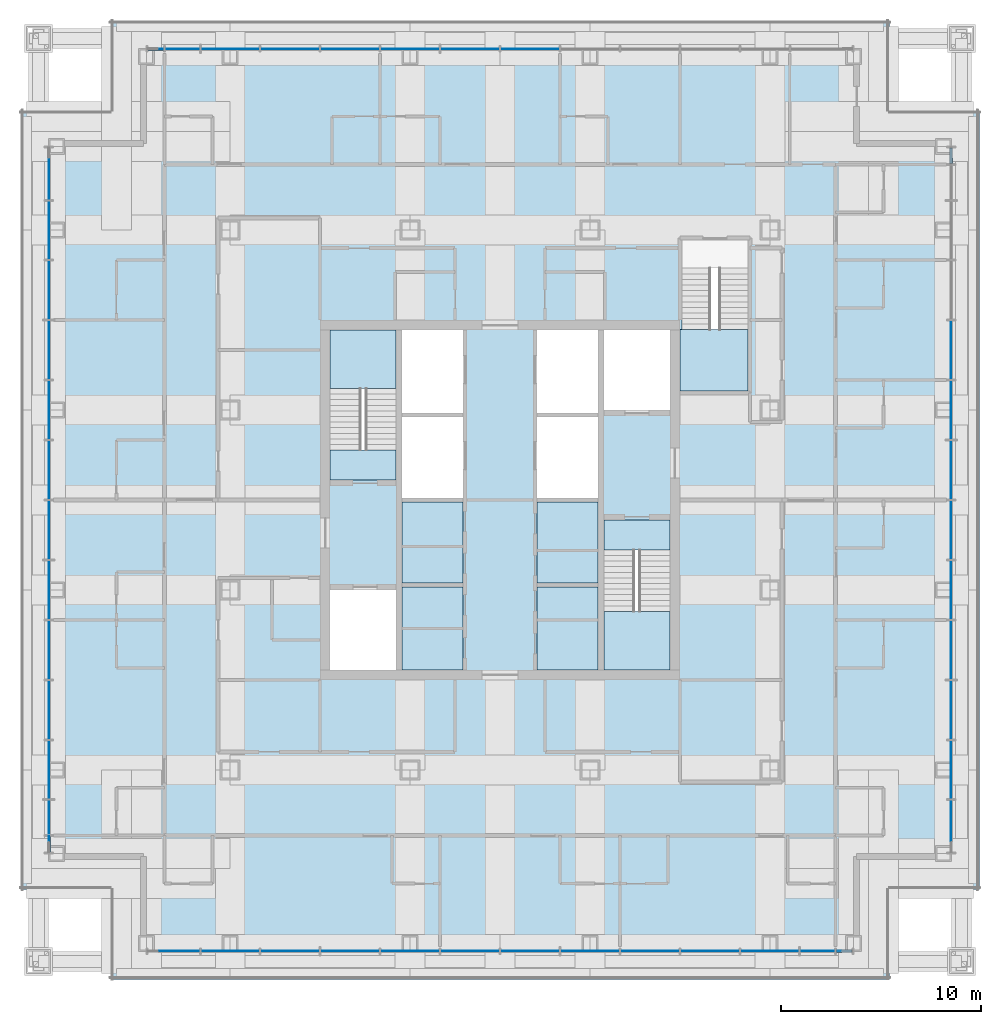
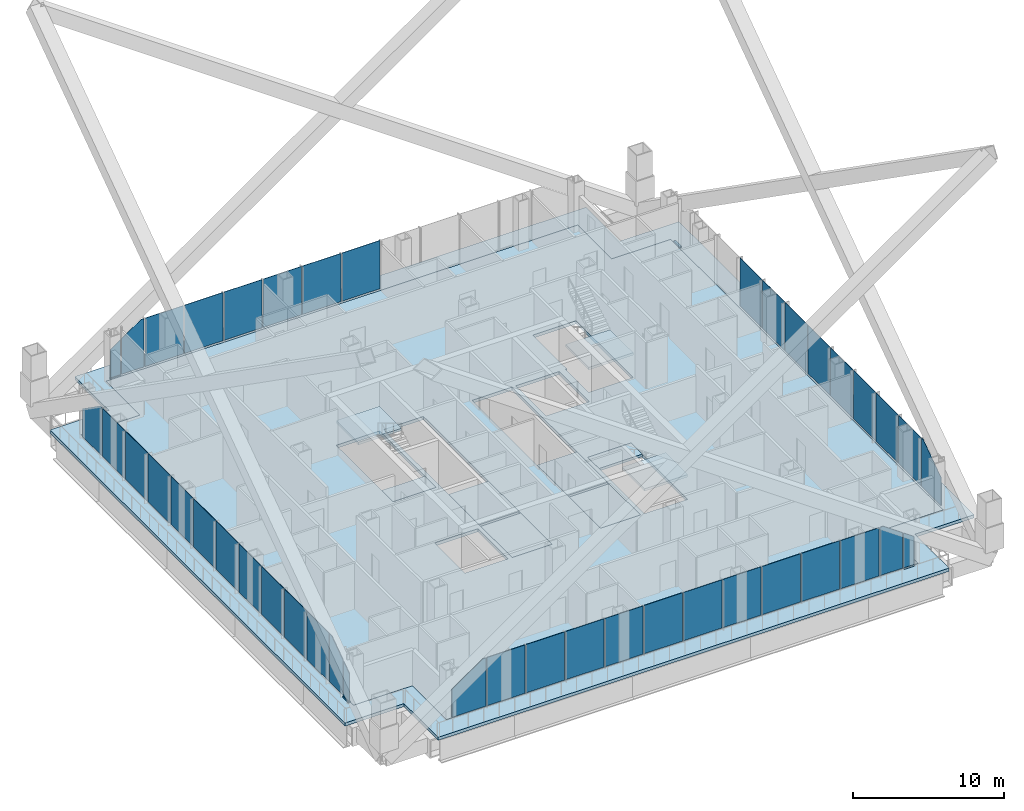
# One storey, part 10 of 18: 43 plates, 11 slabs, 4 members, 7 elements without a shape of their own.
"""IFC4 building model written with IfcOpenShell, lengths in metres."""

import ifcopenshell
import ifcopenshell.guid

model = None  # the IFC model being written
_history = None  # IfcOwnerHistory: only IFC2X3 demands one
_inside = {}  # id of a spatial element -> (the spatial element, [elements in it])
_under = {}  # id of a project, library or spatial element -> (it, [spatial elements below it])
_declared = {}  # id of a project -> (the project, [libraries it declares])
_typed = {}  # id of a type object -> (the type object, [elements of that type])
_made_of = {}  # id of a material, layer set ... -> (it, [elements and type objects made of it])


def new_model(schema):
    """Start an empty IFC model of exactly this schema.

    Asked for "IFC4X3", IfcOpenShell would pick the latest addendum, in which some entities
    have other attributes; the version numbers below select the first issue.
    IFC2X3 requires an IfcOwnerHistory on every rooted entity: one is made here for all.
    """
    global model, _history
    if schema == "IFC4X3":
        model = ifcopenshell.file(schema_version=(4, 3, 0, 0))
    else:
        model = ifcopenshell.file(schema=schema)
    _inside.clear()
    _under.clear()
    _declared.clear()
    _typed.clear()
    _made_of.clear()
    _history = None
    if model.schema == "IFC2X3":
        org = make("IfcOrganization", Name="unknown")
        user = make(
            "IfcPersonAndOrganization",
            ThePerson=make("IfcPerson", FamilyName="unknown"),
            TheOrganization=org,
        )
        app = make(
            "IfcApplication",
            ApplicationDeveloper=org,
            Version="unknown",
            ApplicationFullName="unknown",
            ApplicationIdentifier="unknown",
        )
        _history = make(
            "IfcOwnerHistory",
            OwningUser=user,
            OwningApplication=app,
            ChangeAction="ADDED",
            CreationDate=0,
        )
    return model


def make(cls, **values):
    """One entity of the class cls with the attributes given. An attribute that is None is left unset."""
    return model.create_entity(
        cls, **{name: value for name, value in values.items() if value is not None}
    )


def rooted(cls, **values):
    """An entity with a GlobalId (a new one), such as an element, a storey or a relation."""
    return make(cls, GlobalId=ifcopenshell.guid.new(), OwnerHistory=_history, **values)


def si_unit(unit_type, name, prefix=None):
    """IfcSIUnit, for example si_unit("LENGTHUNIT", "METRE", prefix="MILLI")."""
    return make("IfcSIUnit", UnitType=unit_type, Prefix=prefix, Name=name)


def assignment(units):
    """IfcUnitAssignment: the units of a project."""
    return None if units is None else make("IfcUnitAssignment", Units=units)


def point(xyz):
    """IfcCartesianPoint."""
    return None if xyz is None else make("IfcCartesianPoint", Coordinates=xyz)


def direction(xyz):
    """IfcDirection."""
    return None if xyz is None else make("IfcDirection", DirectionRatios=xyz)


def frame(location, z_axis=None, x_axis=None):
    """IfcAxis2Placement3D, a coordinate frame: its origin and axes. An axis left out is left unset."""
    return make(
        "IfcAxis2Placement3D",
        Location=point(location),
        Axis=direction(z_axis),
        RefDirection=direction(x_axis),
    )


def frame_2d(location, x_axis=None):
    """IfcAxis2Placement2D, a coordinate frame in the plane: its origin and x axis."""
    return make(
        "IfcAxis2Placement2D", Location=point(location), RefDirection=direction(x_axis)
    )


def origin():
    """The frame at (0, 0, 0) with its axes left unset."""
    return frame((0.0, 0.0, 0.0))


def origin_2d():
    """The frame at (0, 0) in the plane with its x axis left unset."""
    return frame_2d((0.0, 0.0))


def place(relative_to, where):
    """IfcLocalPlacement: puts the frame where relative to a parent placement (None: the world)."""
    return make(
        "IfcLocalPlacement", PlacementRelTo=relative_to, RelativePlacement=where
    )


def context(
    kind, dimensions, precision=None, world=None, true_north=None, identifier=None
):
    """IfcGeometricRepresentationContext, for example the 3D "Model" context."""
    return make(
        "IfcGeometricRepresentationContext",
        ContextIdentifier=identifier,
        ContextType=kind,
        CoordinateSpaceDimension=dimensions,
        Precision=precision,
        WorldCoordinateSystem=world,
        TrueNorth=true_north,
    )


def subcontext(parent, identifier, kind, view, scale=None):
    """IfcGeometricRepresentationSubContext, for example "Body" below "Model"."""
    return make(
        "IfcGeometricRepresentationSubContext",
        ContextIdentifier=identifier,
        ContextType=kind,
        ParentContext=parent,
        TargetScale=scale,
        TargetView=view,
    )


def project(units=None, contexts=None):
    """IfcProject with its units and contexts."""
    return rooted(
        "IfcProject",
        Name="project",
        RepresentationContexts=contexts,
        UnitsInContext=assignment(units),
    )


def spatial(cls, under=None, at=None, **own):
    """A site, building, storey or space (cls), placed at a placement, below another one or the project."""
    s = rooted(cls, ObjectPlacement=at, **own)
    if under is not None:
        _under.setdefault(under.id(), (under, []))[1].append(s)
    return s


def polyline(points):
    """IfcPolyline through the points."""
    return make("IfcPolyline", Points=[point(p) for p in points])


def profile(cls, at=None, kind="AREA", **sizes):
    """A parametric profile (cls). Its sizes go by their IFC names, for example OverallWidth=200.0."""
    return make(cls, ProfileType=kind, Position=at, **sizes)


def rectangle(**sizes):
    """IfcRectangleProfileDef."""
    return profile("IfcRectangleProfileDef", **sizes)


def outline(outer, holes=None, kind="AREA"):
    """IfcArbitraryClosedProfileDef: a profile drawn as a closed curve; with holes, ...WithVoids."""
    if holes is None:
        return make("IfcArbitraryClosedProfileDef", ProfileType=kind, OuterCurve=outer)
    return make(
        "IfcArbitraryProfileDefWithVoids",
        ProfileType=kind,
        OuterCurve=outer,
        InnerCurves=holes,
    )


def extrude(swept, where, along, depth):
    """IfcExtrudedAreaSolid: the profile swept, set in the frame where, extruded along a direction by depth."""
    return make(
        "IfcExtrudedAreaSolid",
        SweptArea=swept,
        Position=where,
        ExtrudedDirection=direction(along),
        Depth=depth,
    )


def shape(context_of_items, identifier, shape_type, items):
    """IfcShapeRepresentation: the items that make up one representation, for example the "Body"."""
    return make(
        "IfcShapeRepresentation",
        ContextOfItems=context_of_items,
        RepresentationIdentifier=identifier,
        RepresentationType=shape_type,
        Items=items,
    )


def material(Name=None, Category=None):
    """IfcMaterial."""
    return make("IfcMaterial", Name=Name, Category=Category)


def layer(
    of_material, thickness, ventilated=None, Name=None, Category=None, Priority=None
):
    """IfcMaterialLayer: one layer of a wall or slab, of a material (None: an air gap)."""
    return make(
        "IfcMaterialLayer",
        Material=of_material,
        LayerThickness=thickness,
        IsVentilated=ventilated,
        Name=Name,
        Category=Category,
        Priority=Priority,
    )


def layer_set(layers, Name=None):
    """IfcMaterialLayerSet."""
    return make("IfcMaterialLayerSet", MaterialLayers=layers, LayerSetName=Name)


def material_profile(
    of_material, cross_section, Name=None, Category=None, Priority=None
):
    """IfcMaterialProfile: a cross section and its material."""
    return make(
        "IfcMaterialProfile",
        Name=Name,
        Material=of_material,
        Profile=cross_section,
        Priority=Priority,
        Category=Category,
    )


def profile_set(profiles, Name=None, composite=None):
    """IfcMaterialProfileSet."""
    return make(
        "IfcMaterialProfileSet",
        Name=Name,
        MaterialProfiles=profiles,
        CompositeProfile=composite,
    )


def made_of(thing, what):
    """Note that an element or type object is made of a material, layer set ...; save() writes the relation."""
    if what is not None:
        _made_of.setdefault(what.id(), (what, []))[1].append(thing)
    return thing


def type_object(cls, material=None, **own):
    """A type object (cls), such as IfcWallType, which elements share."""
    return made_of(rooted(cls, **own), material)


def element(
    cls,
    number,
    at=None,
    inside=None,
    cuts=None,
    type_object=None,
    material=None,
    context=None,
    identifier="Body",
    shape_type=None,
    held_by="IfcProductDefinitionShape",
    body=None,
    shapes=None,
    **own,
):
    """One element of the class cls, such as IfcWall. Its Tag is "e" and its number.

    at: its placement. inside: the storey or other place that contains it. cuts: it is an
    opening in that element (IfcRelVoidsElement). A single representation is given by context,
    identifier, shape_type and body (its items); several are given by shapes. held_by: the class
    of the entity that holds the representations. save() writes the other relations.
    """
    e = rooted(cls, Tag="e%d" % number, ObjectPlacement=at, **own)
    if body is not None:
        shapes = [shape(context, identifier, shape_type, body)]
    if shapes is not None:
        e.Representation = make(held_by, Representations=shapes)
    if inside is not None:
        _inside.setdefault(inside.id(), (inside, []))[1].append(e)
    if cuts is not None:
        rooted(
            "IfcRelVoidsElement", RelatingBuildingElement=cuts, RelatedOpeningElement=e
        )
    if type_object is not None:
        _typed.setdefault(type_object.id(), (type_object, []))[1].append(e)
    return made_of(e, material)


def aggregate(whole, parts):
    """IfcRelAggregates: a whole, such as a stair, and the parts it consists of."""
    return rooted("IfcRelAggregates", RelatingObject=whole, RelatedObjects=parts)


def save(model, path):
    """Write the relations noted so far, then the file.

    IfcRelAggregates (storeys below a building ...), IfcRelContainedInSpatialStructure (elements
    in a storey), IfcRelDefinesByType, IfcRelAssociatesMaterial and IfcRelDeclares: one each for
    every whole, place, type object, material and project.
    """
    for whole, parts in _under.values():
        aggregate(whole, parts)
    for where, things in _inside.values():
        rooted(
            "IfcRelContainedInSpatialStructure",
            RelatedElements=things,
            RelatingStructure=where,
        )
    for kind, things in _typed.values():
        rooted("IfcRelDefinesByType", RelatedObjects=things, RelatingType=kind)
    for what, things in _made_of.values():
        rooted("IfcRelAssociatesMaterial", RelatedObjects=things, RelatingMaterial=what)
    for by, libraries in _declared.values():
        rooted("IfcRelDeclares", RelatingContext=by, RelatedDefinitions=libraries)
    model.write(path)


model = new_model("IFC4")

# Units and contexts
model_context = context("Model", 3, precision=1e-05, world=origin(), true_north=direction((0.0, 1.0)))
body_context = subcontext(model_context, "Body", "Model", "MODEL_VIEW")
ifc_project = project(units=[si_unit("LENGTHUNIT", "METRE"), si_unit("AREAUNIT", "SQUARE_METRE"), si_unit("VOLUMEUNIT", "CUBIC_METRE"), si_unit("PLANEANGLEUNIT", "RADIAN"), si_unit("MASSUNIT", "GRAM", prefix="KILO")], contexts=[model_context])

# Site, building, storey
site_placement = place(None, origin())
site = spatial("IfcSite", under=ifc_project, at=site_placement, CompositionType="ELEMENT")
building_placement = place(site_placement, origin())
building = spatial("IfcBuilding", under=site, at=building_placement, Name="Malebo Sky Hospital", CompositionType="ELEMENT")
storey_placement = place(building_placement, frame((0.0, 0.0, 177.0)))
storey = spatial("IfcBuildingStorey", under=building, at=storey_placement, Name="L42", CompositionType="ELEMENT", Elevation=177.0)

# Curtain wall, member
ifc_material_1 = material(Name="Anodised aluminium, natural silver", Category="aluminium")
ifc_layer_1 = layer(ifc_material_1, 0.25)
ifc_layer_set_1 = layer_set([ifc_layer_1], Name="WARD CURTAIN WALL NORTH AND SOUTH")
curtain_wall_type_1 = type_object("IfcCurtainWallType", Name="WARD CURTAIN WALL NORTH AND SOUTH", PredefinedType="NOTDEFINED", material=ifc_layer_set_1)
curtain_wall_1_placement = place(storey_placement, origin())
curtain_wall_1 = element("IfcCurtainWall", 1, at=curtain_wall_1_placement, inside=storey, type_object=curtain_wall_type_1, Name="NS curtain wall N", PredefinedType="NOTDEFINED")
ifc_material_profile = material_profile(ifc_material_1, rectangle(XDim=0.14990234375, YDim=0.10009765625, at=origin_2d()), Name="ALUMINIUM TRANSOM 150x100")
ifc_profile_set = profile_set([ifc_material_profile], Name="Anodised aluminium, natural silver")
member_type = type_object("IfcMemberType", Name="ALUMINIUM TRANSOM 150x100", PredefinedType="USERDEFINED", material=ifc_profile_set)
member_1_placement = place(storey_placement, frame((42.375, 84.574951171875, 0.050048828125), z_axis=(1.0, 0.0, 0.0), x_axis=(0.0, 1.0, 0.0)))
member_1 = element("IfcMember", 2, at=member_1_placement, type_object=member_type, Name="Transom 1", ObjectType="TRANSOM", PredefinedType="USERDEFINED", context=body_context, shape_type="SweptSolid", body=[
    extrude(rectangle(XDim=0.14990234375, YDim=0.10009765625, at=origin_2d()), origin(), (0.0, 0.0, 1.0), 0.78759765625),
])

ifc_layer_2 = layer(ifc_material_1, 0.25)
ifc_layer_set_2 = layer_set([ifc_layer_2], Name="WARD CURTAIN WALL EAST AND WEST")
curtain_wall_type_2 = type_object("IfcCurtainWallType", Name="WARD CURTAIN WALL EAST AND WEST", PredefinedType="NOTDEFINED", material=ifc_layer_set_2)
curtain_wall_2_placement = place(storey_placement, origin())
curtain_wall_2 = element("IfcCurtainWall", 3, at=curtain_wall_2_placement, inside=storey, type_object=curtain_wall_type_2, Name="EW curtain wall W", PredefinedType="NOTDEFINED")
member_2_placement = place(storey_placement, frame((37.425048828125, 44.375, 0.050048828125), z_axis=(0.0, 1.0, 0.0), x_axis=(-1.0, 0.0, 0.0)))
member_2 = element("IfcMember", 4, at=member_2_placement, type_object=member_type, Name="Transom 1", ObjectType="TRANSOM", PredefinedType="USERDEFINED", context=body_context, shape_type="SweptSolid", body=[
    extrude(rectangle(XDim=0.14990234375, YDim=0.10009765625, at=origin_2d()), origin(), (0.0, 0.0, 1.0), 0.78759765625),
])

curtain_wall_3_placement = place(storey_placement, origin())
curtain_wall_3 = element("IfcCurtainWall", 5, at=curtain_wall_3_placement, inside=storey, type_object=curtain_wall_type_1, Name="NS curtain wall S", PredefinedType="NOTDEFINED")
member_3_placement = place(storey_placement, frame((77.625, 39.425048828125, 0.050048828125), z_axis=(-1.0, 0.0, 0.0), x_axis=(0.0, -1.0, 0.0)))
member_3 = element("IfcMember", 6, at=member_3_placement, type_object=member_type, Name="Transom 1", ObjectType="TRANSOM", PredefinedType="USERDEFINED", context=body_context, shape_type="SweptSolid", body=[
    extrude(rectangle(XDim=0.14990234375, YDim=0.10009765625, at=origin_2d()), origin(), (0.0, 0.0, 1.0), 0.78759765625),
])

curtain_wall_4_placement = place(storey_placement, origin())
curtain_wall_4 = element("IfcCurtainWall", 7, at=curtain_wall_4_placement, inside=storey, type_object=curtain_wall_type_2, Name="EW curtain wall E", PredefinedType="NOTDEFINED")
member_4_placement = place(storey_placement, frame((82.574951171875, 79.625, 0.050048828125), z_axis=(0.0, -1.0, 0.0), x_axis=(1.0, 0.0, 0.0)))
member_4 = element("IfcMember", 8, at=member_4_placement, type_object=member_type, Name="Transom 1", ObjectType="TRANSOM", PredefinedType="USERDEFINED", context=body_context, shape_type="SweptSolid", body=[
    extrude(rectangle(XDim=0.14990234375, YDim=0.10009765625, at=origin_2d()), origin(), (0.0, 0.0, 1.0), 0.78759765625),
])

# Slabs
ifc_material_2 = material(Name="Concrete C40/50", Category="concrete")
ifc_layer_3 = layer(ifc_material_2, 0.25)
ifc_layer_set_3 = layer_set([ifc_layer_3], Name="COMPOSITE FLOOR SLAB 250")
slab_type_1 = type_object("IfcSlabType", Name="COMPOSITE FLOOR SLAB 250", PredefinedType="FLOOR", material=ifc_layer_set_3)
slab_1_placement = place(storey_placement, frame((0.0, 0.0, -0.25)))
element("IfcSlab", 9, at=slab_1_placement, inside=storey, type_object=slab_type_1, Name="Floor slab L42", PredefinedType="FLOOR", context=body_context, shape_type="SweptSolid", body=[
    extrude(outline(polyline([(42.0, 84.5), (42.0, 80.0), (37.5, 80.0), (37.5, 44.0), (42.0, 44.0), (42.0, 39.5), (78.0, 39.5), (78.0, 44.0), (82.5, 44.0), (82.5, 80.0), (78.0, 80.0), (78.0, 84.5), (42.0, 84.5)]), holes=[polyline([(55.10009765625, 70.5), (58.14990234375, 70.5), (58.14990234375, 53.5), (55.10009765625, 53.5), (55.10009765625, 70.5)]), polyline([(64.89990234375, 70.5), (64.89990234375, 53.5), (61.85009765625, 53.5), (61.85009765625, 70.5), (64.89990234375, 70.5)]), polyline([(54.800048828125, 63.0), (51.5, 63.0), (51.5, 70.5), (54.800048828125, 70.5), (54.800048828125, 63.0)]), polyline([(51.5, 53.5), (51.5, 57.5), (54.800048828125, 57.5), (54.800048828125, 53.5), (51.5, 53.5)]), polyline([(65.199951171875, 61.0), (68.5, 61.0), (68.5, 53.5), (65.199951171875, 53.5), (65.199951171875, 61.0)]), polyline([(68.5, 70.5), (68.5, 66.5), (65.199951171875, 66.5), (65.199951171875, 70.5), (68.5, 70.5)]), polyline([(69.0, 67.449951171875), (69.0, 70.52001953125), (69.10009765625, 70.52001953125), (69.10009765625, 75.0), (72.39990234375, 75.0), (72.39990234375, 67.449951171875), (69.10009765625, 67.449951171875), (69.0, 67.449951171875)])]), origin(), (0.0, 0.0, 1.0), 0.25),
])
ifc_layer_4 = layer(ifc_material_2, 0.25)
ifc_layer_set_4 = layer_set([ifc_layer_4], Name="ROOF SLAB 250")
slab_type_2 = type_object("IfcSlabType", Name="ROOF SLAB 250", PredefinedType="ROOF", material=ifc_layer_set_4)
slab_2_placement = place(storey_placement, frame((0.0, 0.0, -0.25)))
element("IfcSlab", 10, at=slab_2_placement, inside=storey, type_object=slab_type_2, Name="Setback roof ledge L42", PredefinedType="ROOF", context=body_context, shape_type="SweptSolid", body=[
    extrude(outline(polyline([(79.5, 38.0), (79.5, 42.5), (84.0, 42.5), (84.0, 81.5), (79.5, 81.5), (79.5, 86.0), (40.5, 86.0), (40.5, 81.5), (36.0, 81.5), (36.0, 42.5), (40.5, 42.5), (40.5, 38.0), (79.5, 38.0)]), holes=[polyline([(78.0, 39.5), (42.0, 39.5), (42.0, 44.0), (37.5, 44.0), (37.5, 80.0), (42.0, 80.0), (42.0, 84.5), (78.0, 84.5), (78.0, 80.0), (82.5, 80.0), (82.5, 44.0), (78.0, 44.0), (78.0, 39.5)])]), origin(), (0.0, 0.0, 1.0), 0.25),
])
ifc_layer_5 = layer(ifc_material_2, 0.25)
ifc_layer_set_5 = layer_set([ifc_layer_5], Name="SHAFT INFILL SLAB 250")
slab_type_3 = type_object("IfcSlabType", Name="SHAFT INFILL SLAB 250", PredefinedType="FLOOR", material=ifc_layer_set_5)
slab_3_placement = place(storey_placement, frame((0.0, 0.0, -0.25)))
element("IfcSlab", 11, at=slab_3_placement, inside=storey, type_object=slab_type_3, Name="Shaft infill slab W1 L42", PredefinedType="FLOOR", context=body_context, shape_type="SweptSolid", body=[
    extrude(outline(polyline([(55.10009765625, 53.5), (58.14990234375, 53.5), (58.14990234375, 57.64990234375), (55.10009765625, 57.64990234375), (55.10009765625, 53.5)])), origin(), (0.0, 0.0, 1.0), 0.25),
])
slab_4_placement = place(storey_placement, frame((0.0, 0.0, -0.25)))
element("IfcSlab", 12, at=slab_4_placement, inside=storey, type_object=slab_type_3, Name="Shaft infill slab W2 L42", PredefinedType="FLOOR", context=body_context, shape_type="SweptSolid", body=[
    extrude(outline(polyline([(55.10009765625, 57.85009765625), (58.14990234375, 57.85009765625), (58.14990234375, 61.89990234375), (55.10009765625, 61.89990234375), (55.10009765625, 57.85009765625)])), origin(), (0.0, 0.0, 1.0), 0.25),
])
slab_5_placement = place(storey_placement, frame((0.0, 0.0, -0.25)))
element("IfcSlab", 13, at=slab_5_placement, inside=storey, type_object=slab_type_3, Name="Shaft infill slab E1 L42", PredefinedType="FLOOR", context=body_context, shape_type="SweptSolid", body=[
    extrude(outline(polyline([(61.85009765625, 53.5), (64.89990234375, 53.5), (64.89990234375, 57.64990234375), (61.85009765625, 57.64990234375), (61.85009765625, 53.5)])), origin(), (0.0, 0.0, 1.0), 0.25),
])
slab_6_placement = place(storey_placement, frame((0.0, 0.0, -0.25)))
element("IfcSlab", 14, at=slab_6_placement, inside=storey, type_object=slab_type_3, Name="Shaft infill slab E2 L42", PredefinedType="FLOOR", context=body_context, shape_type="SweptSolid", body=[
    extrude(outline(polyline([(61.85009765625, 57.85009765625), (64.89990234375, 57.85009765625), (64.89990234375, 61.89990234375), (61.85009765625, 61.89990234375), (61.85009765625, 57.85009765625)])), origin(), (0.0, 0.0, 1.0), 0.25),
])

# Stair, slabs
stair_type_1 = type_object("IfcStairType", Name="HALF-TURN STAIR 1500 R167", PredefinedType="HALF_TURN_STAIR", material=ifc_material_2)
stair_1_placement = place(storey_placement, origin())
stair_1 = element("IfcStair", 15, at=stair_1_placement, inside=storey, type_object=stair_type_1, Name="Stair S1 L42 type ST1", PredefinedType="HALF_TURN_STAIR")
ifc_layer_6 = layer(ifc_material_2, 0.199951171875)
ifc_layer_set_6 = layer_set([ifc_layer_6], Name="STAIR LANDING 200")
slab_type_4 = type_object("IfcSlabType", Name="STAIR LANDING 200", PredefinedType="LANDING", material=ifc_layer_set_6)
slab_7_placement = place(storey_placement, frame((0.0, 0.0, -0.199951171875)))
slab_7 = element("IfcSlab", 16, at=slab_7_placement, type_object=slab_type_4, Name="S1 landing 1", PredefinedType="LANDING", context=body_context, shape_type="SweptSolid", body=[
    extrude(outline(polyline([(51.5, 63.0), (54.800048828125, 63.0), (54.800048828125, 64.5), (51.5, 64.5), (51.5, 63.0)])), origin(), (0.0, 0.0, 1.0), 0.199951171875),
])
slab_8_placement = place(storey_placement, frame((0.0, 0.0, 1.800048828125)))
slab_8 = element("IfcSlab", 17, at=slab_8_placement, type_object=slab_type_4, Name="S1 landing 2", PredefinedType="LANDING", context=body_context, shape_type="SweptSolid", body=[
    extrude(outline(polyline([(51.5, 67.580078125), (54.800048828125, 67.580078125), (54.800048828125, 70.5), (51.5, 70.5), (51.5, 67.580078125)])), origin(), (0.0, 0.0, 1.0), 0.199951171875),
])
aggregate(stair_1, [slab_7, slab_8])

stair_2_placement = place(storey_placement, origin())
stair_2 = element("IfcStair", 18, at=stair_2_placement, inside=storey, type_object=stair_type_1, Name="Stair S2 L42 type ST1", PredefinedType="HALF_TURN_STAIR")
slab_9_placement = place(storey_placement, frame((0.0, 0.0, -0.199951171875)))
slab_9 = element("IfcSlab", 19, at=slab_9_placement, type_object=slab_type_4, Name="S2 landing 1", PredefinedType="LANDING", context=body_context, shape_type="SweptSolid", body=[
    extrude(outline(polyline([(65.199951171875, 59.5), (68.5, 59.5), (68.5, 61.0), (65.199951171875, 61.0), (65.199951171875, 59.5)])), origin(), (0.0, 0.0, 1.0), 0.199951171875),
])
slab_10_placement = place(storey_placement, frame((0.0, 0.0, 1.800048828125)))
slab_10 = element("IfcSlab", 20, at=slab_10_placement, type_object=slab_type_4, Name="S2 landing 2", PredefinedType="LANDING", context=body_context, shape_type="SweptSolid", body=[
    extrude(outline(polyline([(65.199951171875, 53.5), (68.5, 53.5), (68.5, 56.419921875), (65.199951171875, 56.419921875), (65.199951171875, 53.5)])), origin(), (0.0, 0.0, 1.0), 0.199951171875),
])
aggregate(stair_2, [slab_9, slab_10])

# Stair, slab
stair_type_2 = type_object("IfcStairType", Name="HALF-TURN STAIR 1400 R167", PredefinedType="HALF_TURN_STAIR", material=ifc_material_2)
stair_3_placement = place(storey_placement, origin())
stair_3 = element("IfcStair", 21, at=stair_3_placement, inside=storey, type_object=stair_type_2, Name="Stair S3 L42 type ST1B", PredefinedType="HALF_TURN_STAIR")
slab_11_placement = place(storey_placement, frame((0.0, 0.0, 1.800048828125)))
slab_11 = element("IfcSlab", 22, at=slab_11_placement, type_object=slab_type_4, Name="S3 landing 2", PredefinedType="LANDING", context=body_context, shape_type="SweptSolid", body=[
    extrude(outline(polyline([(69.0, 67.449951171875), (72.39990234375, 67.449951171875), (72.39990234375, 70.52001953125), (69.0, 70.52001953125), (69.0, 67.449951171875)])), origin(), (0.0, 0.0, 1.0), 0.199951171875),
])
aggregate(stair_3, [slab_11])

# Plate
ifc_material_3 = material(Name="Clear low-iron double glazing", Category="glass")
ifc_layer_7 = layer(ifc_material_3, 0.031982421875)
ifc_layer_set_7 = layer_set([ifc_layer_7], Name="VISION PANEL CLEAR 32")
plate_type = type_object("IfcPlateType", Name="VISION PANEL CLEAR 32", PredefinedType="CURTAIN_PANEL", material=ifc_layer_set_7)
plate_1_placement = place(storey_placement, frame((42.768798828125, 84.574951171875, 0.10009765625), z_axis=(0.0, 0.0, 1.0), x_axis=(1.0, 0.0, 0.0)))
plate_1 = element("IfcPlate", 23, at=plate_1_placement, type_object=plate_type, Name="Panel 1", PredefinedType="CURTAIN_PANEL", context=body_context, shape_type="SweptSolid", body=[
    extrude(outline(polyline([(-0.393798828125, 0.0), (0.393798828125, 0.0), (0.393798828125, 2.806396484375), (-0.393798828125, 2.25341796875), (-0.393798828125, 0.0)])), frame((0.0, 0.01611328125, 0.0), z_axis=(0.0, -1.0, 0.0), x_axis=(1.0, 0.0, 0.0)), (0.0, 0.0, 1.0), 0.031982421875),
])

plate_2_placement = place(storey_placement, frame((44.10009765625, 84.574951171875, 0.10009765625), z_axis=(0.0, 0.0, 1.0), x_axis=(1.0, 0.0, 0.0)))
plate_2 = element("IfcPlate", 24, at=plate_2_placement, type_object=plate_type, Name="Panel 2", PredefinedType="CURTAIN_PANEL", context=body_context, shape_type="SweptSolid", body=[
    extrude(outline(polyline([(-0.862548828125, 0.0), (0.862548828125, 0.0), (0.862548828125, 3.889892578125), (0.605224609375, 3.889892578125), (-0.862548828125, 2.859130859375), (-0.862548828125, 0.0)])), frame((0.0, 0.01611328125, 0.0), z_axis=(0.0, -1.0, 0.0), x_axis=(1.0, 0.0, 0.0)), (0.0, 0.0, 1.0), 0.031982421875),
])

plate_3_placement = place(storey_placement, frame((46.5, 84.574951171875, 0.10009765625), z_axis=(0.0, 0.0, 1.0), x_axis=(1.0, 0.0, 0.0)))
plate_3 = element("IfcPlate", 25, at=plate_3_placement, type_object=plate_type, Name="Panel 3", PredefinedType="CURTAIN_PANEL", context=body_context, shape_type="SweptSolid", body=[
    extrude(rectangle(XDim=2.925048828125, YDim=0.031982421875, at=origin_2d()), origin(), (0.0, 0.0, 1.0), 3.889892578125),
])

plate_4_placement = place(storey_placement, frame((49.5, 84.574951171875, 0.10009765625), z_axis=(0.0, 0.0, 1.0), x_axis=(1.0, 0.0, 0.0)))
plate_4 = element("IfcPlate", 26, at=plate_4_placement, type_object=plate_type, Name="Panel 4", PredefinedType="CURTAIN_PANEL", context=body_context, shape_type="SweptSolid", body=[
    extrude(rectangle(XDim=2.925048828125, YDim=0.031982421875, at=origin_2d()), origin(), (0.0, 0.0, 1.0), 3.889892578125),
])

plate_5_placement = place(storey_placement, frame((52.5, 84.574951171875, 0.10009765625), z_axis=(0.0, 0.0, 1.0), x_axis=(1.0, 0.0, 0.0)))
plate_5 = element("IfcPlate", 27, at=plate_5_placement, type_object=plate_type, Name="Panel 5", PredefinedType="CURTAIN_PANEL", context=body_context, shape_type="SweptSolid", body=[
    extrude(rectangle(XDim=2.925048828125, YDim=0.031982421875, at=origin_2d()), origin(), (0.0, 0.0, 1.0), 3.889892578125),
])

plate_6_placement = place(storey_placement, frame((55.5, 84.574951171875, 0.10009765625), z_axis=(0.0, 0.0, 1.0), x_axis=(1.0, 0.0, 0.0)))
plate_6 = element("IfcPlate", 28, at=plate_6_placement, type_object=plate_type, Name="Panel 6", PredefinedType="CURTAIN_PANEL", context=body_context, shape_type="SweptSolid", body=[
    extrude(rectangle(XDim=2.925048828125, YDim=0.031982421875, at=origin_2d()), origin(), (0.0, 0.0, 1.0), 3.889892578125),
])

plate_7_placement = place(storey_placement, frame((58.5, 84.574951171875, 0.10009765625), z_axis=(0.0, 0.0, 1.0), x_axis=(1.0, 0.0, 0.0)))
plate_7 = element("IfcPlate", 29, at=plate_7_placement, type_object=plate_type, Name="Panel 7", PredefinedType="CURTAIN_PANEL", context=body_context, shape_type="SweptSolid", body=[
    extrude(rectangle(XDim=2.925048828125, YDim=0.031982421875, at=origin_2d()), origin(), (0.0, 0.0, 1.0), 3.889892578125),
])

plate_8_placement = place(storey_placement, frame((61.5, 84.574951171875, 0.10009765625), z_axis=(0.0, 0.0, 1.0), x_axis=(1.0, 0.0, 0.0)))
plate_8 = element("IfcPlate", 30, at=plate_8_placement, type_object=plate_type, Name="Panel 8", PredefinedType="CURTAIN_PANEL", context=body_context, shape_type="SweptSolid", body=[
    extrude(rectangle(XDim=2.925048828125, YDim=0.031982421875, at=origin_2d()), origin(), (0.0, 0.0, 1.0), 3.889892578125),
])

aggregate(curtain_wall_1, [member_1, plate_1, plate_2, plate_3, plate_4, plate_5, plate_6, plate_7, plate_8])

plate_9_placement = place(storey_placement, frame((37.425048828125, 44.768798828125, 0.10009765625), z_axis=(0.0, 0.0, 1.0), x_axis=(0.0, 1.0, 0.0)))
plate_9 = element("IfcPlate", 31, at=plate_9_placement, type_object=plate_type, Name="Panel 1", PredefinedType="CURTAIN_PANEL", context=body_context, shape_type="SweptSolid", body=[
    extrude(outline(polyline([(-0.393798828125, 0.0), (0.393798828125, 0.0), (0.393798828125, 2.806396484375), (-0.393798828125, 2.25341796875), (-0.393798828125, 0.0)])), frame((0.0, 0.01611328125, 0.0), z_axis=(0.0, -1.0, 0.0), x_axis=(1.0, 0.0, 0.0)), (0.0, 0.0, 1.0), 0.031982421875),
])

plate_10_placement = place(storey_placement, frame((37.425048828125, 46.10009765625, 0.10009765625), z_axis=(0.0, 0.0, 1.0), x_axis=(0.0, 1.0, 0.0)))
plate_10 = element("IfcPlate", 32, at=plate_10_placement, type_object=plate_type, Name="Panel 2", PredefinedType="CURTAIN_PANEL", context=body_context, shape_type="SweptSolid", body=[
    extrude(outline(polyline([(-0.862548828125, 0.0), (0.862548828125, 0.0), (0.862548828125, 3.889892578125), (0.605224609375, 3.889892578125), (-0.862548828125, 2.859130859375), (-0.862548828125, 0.0)])), frame((0.0, 0.01611328125, 0.0), z_axis=(0.0, -1.0, 0.0), x_axis=(1.0, 0.0, 0.0)), (0.0, 0.0, 1.0), 0.031982421875),
])

plate_11_placement = place(storey_placement, frame((37.425048828125, 48.5, 0.10009765625), z_axis=(0.0, 0.0, 1.0), x_axis=(0.0, 1.0, 0.0)))
plate_11 = element("IfcPlate", 33, at=plate_11_placement, type_object=plate_type, Name="Panel 3", PredefinedType="CURTAIN_PANEL", context=body_context, shape_type="SweptSolid", body=[
    extrude(rectangle(XDim=2.925048828125, YDim=0.031982421875, at=origin_2d()), origin(), (0.0, 0.0, 1.0), 3.889892578125),
])

plate_12_placement = place(storey_placement, frame((37.425048828125, 51.5, 0.10009765625), z_axis=(0.0, 0.0, 1.0), x_axis=(0.0, 1.0, 0.0)))
plate_12 = element("IfcPlate", 34, at=plate_12_placement, type_object=plate_type, Name="Panel 4", PredefinedType="CURTAIN_PANEL", context=body_context, shape_type="SweptSolid", body=[
    extrude(rectangle(XDim=2.925048828125, YDim=0.031982421875, at=origin_2d()), origin(), (0.0, 0.0, 1.0), 3.889892578125),
])

plate_13_placement = place(storey_placement, frame((37.425048828125, 54.5, 0.10009765625), z_axis=(0.0, 0.0, 1.0), x_axis=(0.0, 1.0, 0.0)))
plate_13 = element("IfcPlate", 35, at=plate_13_placement, type_object=plate_type, Name="Panel 5", PredefinedType="CURTAIN_PANEL", context=body_context, shape_type="SweptSolid", body=[
    extrude(rectangle(XDim=2.925048828125, YDim=0.031982421875, at=origin_2d()), origin(), (0.0, 0.0, 1.0), 3.889892578125),
])

plate_14_placement = place(storey_placement, frame((37.425048828125, 57.5, 0.10009765625), z_axis=(0.0, 0.0, 1.0), x_axis=(0.0, 1.0, 0.0)))
plate_14 = element("IfcPlate", 36, at=plate_14_placement, type_object=plate_type, Name="Panel 6", PredefinedType="CURTAIN_PANEL", context=body_context, shape_type="SweptSolid", body=[
    extrude(rectangle(XDim=2.925048828125, YDim=0.031982421875, at=origin_2d()), origin(), (0.0, 0.0, 1.0), 3.889892578125),
])

plate_15_placement = place(storey_placement, frame((37.425048828125, 60.5, 0.10009765625), z_axis=(0.0, 0.0, 1.0), x_axis=(0.0, 1.0, 0.0)))
plate_15 = element("IfcPlate", 37, at=plate_15_placement, type_object=plate_type, Name="Panel 7", PredefinedType="CURTAIN_PANEL", context=body_context, shape_type="SweptSolid", body=[
    extrude(rectangle(XDim=2.925048828125, YDim=0.031982421875, at=origin_2d()), origin(), (0.0, 0.0, 1.0), 3.889892578125),
])

plate_16_placement = place(storey_placement, frame((37.425048828125, 63.5, 0.10009765625), z_axis=(0.0, 0.0, 1.0), x_axis=(0.0, 1.0, 0.0)))
plate_16 = element("IfcPlate", 38, at=plate_16_placement, type_object=plate_type, Name="Panel 8", PredefinedType="CURTAIN_PANEL", context=body_context, shape_type="SweptSolid", body=[
    extrude(rectangle(XDim=2.925048828125, YDim=0.031982421875, at=origin_2d()), origin(), (0.0, 0.0, 1.0), 3.889892578125),
])

plate_17_placement = place(storey_placement, frame((37.425048828125, 66.5, 0.10009765625), z_axis=(0.0, 0.0, 1.0), x_axis=(0.0, 1.0, 0.0)))
plate_17 = element("IfcPlate", 39, at=plate_17_placement, type_object=plate_type, Name="Panel 9", PredefinedType="CURTAIN_PANEL", context=body_context, shape_type="SweptSolid", body=[
    extrude(rectangle(XDim=2.925048828125, YDim=0.031982421875, at=origin_2d()), origin(), (0.0, 0.0, 1.0), 3.889892578125),
])

plate_18_placement = place(storey_placement, frame((37.425048828125, 69.5, 0.10009765625), z_axis=(0.0, 0.0, 1.0), x_axis=(0.0, 1.0, 0.0)))
plate_18 = element("IfcPlate", 40, at=plate_18_placement, type_object=plate_type, Name="Panel 10", PredefinedType="CURTAIN_PANEL", context=body_context, shape_type="SweptSolid", body=[
    extrude(rectangle(XDim=2.925048828125, YDim=0.031982421875, at=origin_2d()), origin(), (0.0, 0.0, 1.0), 3.889892578125),
])

plate_19_placement = place(storey_placement, frame((37.425048828125, 72.5, 0.10009765625), z_axis=(0.0, 0.0, 1.0), x_axis=(0.0, 1.0, 0.0)))
plate_19 = element("IfcPlate", 41, at=plate_19_placement, type_object=plate_type, Name="Panel 11", PredefinedType="CURTAIN_PANEL", context=body_context, shape_type="SweptSolid", body=[
    extrude(rectangle(XDim=2.925048828125, YDim=0.031982421875, at=origin_2d()), origin(), (0.0, 0.0, 1.0), 3.889892578125),
])

plate_20_placement = place(storey_placement, frame((37.425048828125, 75.5, 0.10009765625), z_axis=(0.0, 0.0, 1.0), x_axis=(0.0, 1.0, 0.0)))
plate_20 = element("IfcPlate", 42, at=plate_20_placement, type_object=plate_type, Name="Panel 12", PredefinedType="CURTAIN_PANEL", context=body_context, shape_type="SweptSolid", body=[
    extrude(rectangle(XDim=2.925048828125, YDim=0.031982421875, at=origin_2d()), origin(), (0.0, 0.0, 1.0), 3.889892578125),
])

plate_21_placement = place(storey_placement, frame((37.425048828125, 78.331298828125, 0.10009765625), z_axis=(0.0, 0.0, 1.0), x_axis=(0.0, 1.0, 0.0)))
plate_21 = element("IfcPlate", 43, at=plate_21_placement, type_object=plate_type, Name="Panel 13", PredefinedType="CURTAIN_PANEL", context=body_context, shape_type="SweptSolid", body=[
    extrude(outline(polyline([(-1.293701171875, 0.0), (1.293701171875, 0.0), (1.293701171875, 2.25341796875), (-1.036376953125, 3.889892578125), (-1.293701171875, 3.889892578125), (-1.293701171875, 0.0)])), frame((0.0, 0.01611328125, 0.0), z_axis=(0.0, -1.0, 0.0), x_axis=(1.0, 0.0, 0.0)), (0.0, 0.0, 1.0), 0.031982421875),
])

aggregate(curtain_wall_2, [member_2, plate_9, plate_10, plate_11, plate_12, plate_13, plate_14, plate_15, plate_16, plate_17, plate_18, plate_19, plate_20, plate_21])

plate_22_placement = place(storey_placement, frame((77.231201171875, 39.425048828125, 0.10009765625), z_axis=(0.0, 0.0, 1.0), x_axis=(-1.0, 0.0, 0.0)))
plate_22 = element("IfcPlate", 44, at=plate_22_placement, type_object=plate_type, Name="Panel 1", PredefinedType="CURTAIN_PANEL", context=body_context, shape_type="SweptSolid", body=[
    extrude(outline(polyline([(-0.393798828125, 0.0), (0.393798828125, 0.0), (0.393798828125, 2.806396484375), (-0.393798828125, 2.25341796875), (-0.393798828125, 0.0)])), frame((0.0, 0.01611328125, 0.0), z_axis=(0.0, -1.0, 0.0), x_axis=(1.0, 0.0, 0.0)), (0.0, 0.0, 1.0), 0.031982421875),
])

plate_23_placement = place(storey_placement, frame((75.89990234375, 39.425048828125, 0.10009765625), z_axis=(0.0, 0.0, 1.0), x_axis=(-1.0, 0.0, 0.0)))
plate_23 = element("IfcPlate", 45, at=plate_23_placement, type_object=plate_type, Name="Panel 2", PredefinedType="CURTAIN_PANEL", context=body_context, shape_type="SweptSolid", body=[
    extrude(outline(polyline([(-0.862548828125, 0.0), (0.862548828125, 0.0), (0.862548828125, 3.889892578125), (0.605224609375, 3.889892578125), (-0.862548828125, 2.859130859375), (-0.862548828125, 0.0)])), frame((0.0, 0.01611328125, 0.0), z_axis=(0.0, -1.0, 0.0), x_axis=(1.0, 0.0, 0.0)), (0.0, 0.0, 1.0), 0.031982421875),
])

plate_24_placement = place(storey_placement, frame((73.5, 39.425048828125, 0.10009765625), z_axis=(0.0, 0.0, 1.0), x_axis=(-1.0, 0.0, 0.0)))
plate_24 = element("IfcPlate", 46, at=plate_24_placement, type_object=plate_type, Name="Panel 3", PredefinedType="CURTAIN_PANEL", context=body_context, shape_type="SweptSolid", body=[
    extrude(rectangle(XDim=2.925048828125, YDim=0.031982421875, at=origin_2d()), origin(), (0.0, 0.0, 1.0), 3.889892578125),
])

plate_25_placement = place(storey_placement, frame((70.5, 39.425048828125, 0.10009765625), z_axis=(0.0, 0.0, 1.0), x_axis=(-1.0, 0.0, 0.0)))
plate_25 = element("IfcPlate", 47, at=plate_25_placement, type_object=plate_type, Name="Panel 4", PredefinedType="CURTAIN_PANEL", context=body_context, shape_type="SweptSolid", body=[
    extrude(rectangle(XDim=2.925048828125, YDim=0.031982421875, at=origin_2d()), origin(), (0.0, 0.0, 1.0), 3.889892578125),
])

plate_26_placement = place(storey_placement, frame((67.5, 39.425048828125, 0.10009765625), z_axis=(0.0, 0.0, 1.0), x_axis=(-1.0, 0.0, 0.0)))
plate_26 = element("IfcPlate", 48, at=plate_26_placement, type_object=plate_type, Name="Panel 5", PredefinedType="CURTAIN_PANEL", context=body_context, shape_type="SweptSolid", body=[
    extrude(rectangle(XDim=2.925048828125, YDim=0.031982421875, at=origin_2d()), origin(), (0.0, 0.0, 1.0), 3.889892578125),
])

plate_27_placement = place(storey_placement, frame((64.5, 39.425048828125, 0.10009765625), z_axis=(0.0, 0.0, 1.0), x_axis=(-1.0, 0.0, 0.0)))
plate_27 = element("IfcPlate", 49, at=plate_27_placement, type_object=plate_type, Name="Panel 6", PredefinedType="CURTAIN_PANEL", context=body_context, shape_type="SweptSolid", body=[
    extrude(rectangle(XDim=2.925048828125, YDim=0.031982421875, at=origin_2d()), origin(), (0.0, 0.0, 1.0), 3.889892578125),
])

plate_28_placement = place(storey_placement, frame((61.5, 39.425048828125, 0.10009765625), z_axis=(0.0, 0.0, 1.0), x_axis=(-1.0, 0.0, 0.0)))
plate_28 = element("IfcPlate", 50, at=plate_28_placement, type_object=plate_type, Name="Panel 7", PredefinedType="CURTAIN_PANEL", context=body_context, shape_type="SweptSolid", body=[
    extrude(rectangle(XDim=2.925048828125, YDim=0.031982421875, at=origin_2d()), origin(), (0.0, 0.0, 1.0), 3.889892578125),
])

plate_29_placement = place(storey_placement, frame((58.5, 39.425048828125, 0.10009765625), z_axis=(0.0, 0.0, 1.0), x_axis=(-1.0, 0.0, 0.0)))
plate_29 = element("IfcPlate", 51, at=plate_29_placement, type_object=plate_type, Name="Panel 8", PredefinedType="CURTAIN_PANEL", context=body_context, shape_type="SweptSolid", body=[
    extrude(rectangle(XDim=2.925048828125, YDim=0.031982421875, at=origin_2d()), origin(), (0.0, 0.0, 1.0), 3.889892578125),
])

plate_30_placement = place(storey_placement, frame((55.5, 39.425048828125, 0.10009765625), z_axis=(0.0, 0.0, 1.0), x_axis=(-1.0, 0.0, 0.0)))
plate_30 = element("IfcPlate", 52, at=plate_30_placement, type_object=plate_type, Name="Panel 9", PredefinedType="CURTAIN_PANEL", context=body_context, shape_type="SweptSolid", body=[
    extrude(rectangle(XDim=2.925048828125, YDim=0.031982421875, at=origin_2d()), origin(), (0.0, 0.0, 1.0), 3.889892578125),
])

plate_31_placement = place(storey_placement, frame((52.5, 39.425048828125, 0.10009765625), z_axis=(0.0, 0.0, 1.0), x_axis=(-1.0, 0.0, 0.0)))
plate_31 = element("IfcPlate", 53, at=plate_31_placement, type_object=plate_type, Name="Panel 10", PredefinedType="CURTAIN_PANEL", context=body_context, shape_type="SweptSolid", body=[
    extrude(rectangle(XDim=2.925048828125, YDim=0.031982421875, at=origin_2d()), origin(), (0.0, 0.0, 1.0), 3.889892578125),
])

plate_32_placement = place(storey_placement, frame((49.5, 39.425048828125, 0.10009765625), z_axis=(0.0, 0.0, 1.0), x_axis=(-1.0, 0.0, 0.0)))
plate_32 = element("IfcPlate", 54, at=plate_32_placement, type_object=plate_type, Name="Panel 11", PredefinedType="CURTAIN_PANEL", context=body_context, shape_type="SweptSolid", body=[
    extrude(rectangle(XDim=2.925048828125, YDim=0.031982421875, at=origin_2d()), origin(), (0.0, 0.0, 1.0), 3.889892578125),
])

plate_33_placement = place(storey_placement, frame((46.5, 39.425048828125, 0.10009765625), z_axis=(0.0, 0.0, 1.0), x_axis=(-1.0, 0.0, 0.0)))
plate_33 = element("IfcPlate", 55, at=plate_33_placement, type_object=plate_type, Name="Panel 12", PredefinedType="CURTAIN_PANEL", context=body_context, shape_type="SweptSolid", body=[
    extrude(rectangle(XDim=2.925048828125, YDim=0.031982421875, at=origin_2d()), origin(), (0.0, 0.0, 1.0), 3.889892578125),
])

plate_34_placement = place(storey_placement, frame((43.668701171875, 39.425048828125, 0.10009765625), z_axis=(0.0, 0.0, 1.0), x_axis=(-1.0, 0.0, 0.0)))
plate_34 = element("IfcPlate", 56, at=plate_34_placement, type_object=plate_type, Name="Panel 13", PredefinedType="CURTAIN_PANEL", context=body_context, shape_type="SweptSolid", body=[
    extrude(outline(polyline([(-1.293701171875, 0.0), (1.293701171875, 0.0), (1.293701171875, 2.25341796875), (-1.036376953125, 3.889892578125), (-1.293701171875, 3.889892578125), (-1.293701171875, 0.0)])), frame((0.0, 0.01611328125, 0.0), z_axis=(0.0, -1.0, 0.0), x_axis=(1.0, 0.0, 0.0)), (0.0, 0.0, 1.0), 0.031982421875),
])

aggregate(curtain_wall_3, [member_3, plate_22, plate_23, plate_24, plate_25, plate_26, plate_27, plate_28, plate_29, plate_30, plate_31, plate_32, plate_33, plate_34])

plate_35_placement = place(storey_placement, frame((82.574951171875, 69.5, 0.10009765625), z_axis=(0.0, 0.0, 1.0), x_axis=(0.0, -1.0, 0.0)))
plate_35 = element("IfcPlate", 57, at=plate_35_placement, type_object=plate_type, Name="Panel 5", PredefinedType="CURTAIN_PANEL", context=body_context, shape_type="SweptSolid", body=[
    extrude(rectangle(XDim=2.925048828125, YDim=0.031982421875, at=origin_2d()), origin(), (0.0, 0.0, 1.0), 3.889892578125),
])

plate_36_placement = place(storey_placement, frame((82.574951171875, 66.5, 0.10009765625), z_axis=(0.0, 0.0, 1.0), x_axis=(0.0, -1.0, 0.0)))
plate_36 = element("IfcPlate", 58, at=plate_36_placement, type_object=plate_type, Name="Panel 6", PredefinedType="CURTAIN_PANEL", context=body_context, shape_type="SweptSolid", body=[
    extrude(rectangle(XDim=2.925048828125, YDim=0.031982421875, at=origin_2d()), origin(), (0.0, 0.0, 1.0), 3.889892578125),
])

plate_37_placement = place(storey_placement, frame((82.574951171875, 63.5, 0.10009765625), z_axis=(0.0, 0.0, 1.0), x_axis=(0.0, -1.0, 0.0)))
plate_37 = element("IfcPlate", 59, at=plate_37_placement, type_object=plate_type, Name="Panel 7", PredefinedType="CURTAIN_PANEL", context=body_context, shape_type="SweptSolid", body=[
    extrude(rectangle(XDim=2.925048828125, YDim=0.031982421875, at=origin_2d()), origin(), (0.0, 0.0, 1.0), 3.889892578125),
])

plate_38_placement = place(storey_placement, frame((82.574951171875, 60.5, 0.10009765625), z_axis=(0.0, 0.0, 1.0), x_axis=(0.0, -1.0, 0.0)))
plate_38 = element("IfcPlate", 60, at=plate_38_placement, type_object=plate_type, Name="Panel 8", PredefinedType="CURTAIN_PANEL", context=body_context, shape_type="SweptSolid", body=[
    extrude(rectangle(XDim=2.925048828125, YDim=0.031982421875, at=origin_2d()), origin(), (0.0, 0.0, 1.0), 3.889892578125),
])

plate_39_placement = place(storey_placement, frame((82.574951171875, 57.5, 0.10009765625), z_axis=(0.0, 0.0, 1.0), x_axis=(0.0, -1.0, 0.0)))
plate_39 = element("IfcPlate", 61, at=plate_39_placement, type_object=plate_type, Name="Panel 9", PredefinedType="CURTAIN_PANEL", context=body_context, shape_type="SweptSolid", body=[
    extrude(rectangle(XDim=2.925048828125, YDim=0.031982421875, at=origin_2d()), origin(), (0.0, 0.0, 1.0), 3.889892578125),
])

plate_40_placement = place(storey_placement, frame((82.574951171875, 54.5, 0.10009765625), z_axis=(0.0, 0.0, 1.0), x_axis=(0.0, -1.0, 0.0)))
plate_40 = element("IfcPlate", 62, at=plate_40_placement, type_object=plate_type, Name="Panel 10", PredefinedType="CURTAIN_PANEL", context=body_context, shape_type="SweptSolid", body=[
    extrude(rectangle(XDim=2.925048828125, YDim=0.031982421875, at=origin_2d()), origin(), (0.0, 0.0, 1.0), 3.889892578125),
])

plate_41_placement = place(storey_placement, frame((82.574951171875, 51.5, 0.10009765625), z_axis=(0.0, 0.0, 1.0), x_axis=(0.0, -1.0, 0.0)))
plate_41 = element("IfcPlate", 63, at=plate_41_placement, type_object=plate_type, Name="Panel 11", PredefinedType="CURTAIN_PANEL", context=body_context, shape_type="SweptSolid", body=[
    extrude(rectangle(XDim=2.925048828125, YDim=0.031982421875, at=origin_2d()), origin(), (0.0, 0.0, 1.0), 3.889892578125),
])

plate_42_placement = place(storey_placement, frame((82.574951171875, 48.5, 0.10009765625), z_axis=(0.0, 0.0, 1.0), x_axis=(0.0, -1.0, 0.0)))
plate_42 = element("IfcPlate", 64, at=plate_42_placement, type_object=plate_type, Name="Panel 12", PredefinedType="CURTAIN_PANEL", context=body_context, shape_type="SweptSolid", body=[
    extrude(rectangle(XDim=2.925048828125, YDim=0.031982421875, at=origin_2d()), origin(), (0.0, 0.0, 1.0), 3.889892578125),
])

plate_43_placement = place(storey_placement, frame((82.574951171875, 45.668701171875, 0.10009765625), z_axis=(0.0, 0.0, 1.0), x_axis=(0.0, -1.0, 0.0)))
plate_43 = element("IfcPlate", 65, at=plate_43_placement, type_object=plate_type, Name="Panel 13", PredefinedType="CURTAIN_PANEL", context=body_context, shape_type="SweptSolid", body=[
    extrude(outline(polyline([(-1.293701171875, 0.0), (1.293701171875, 0.0), (1.293701171875, 2.25341796875), (-1.036376953125, 3.889892578125), (-1.293701171875, 3.889892578125), (-1.293701171875, 0.0)])), frame((0.0, 0.01611328125, 0.0), z_axis=(0.0, -1.0, 0.0), x_axis=(1.0, 0.0, 0.0)), (0.0, 0.0, 1.0), 0.031982421875),
])

aggregate(curtain_wall_4, [member_4, plate_35, plate_36, plate_37, plate_38, plate_39, plate_40, plate_41, plate_42, plate_43])

save(model, "model.ifc")
